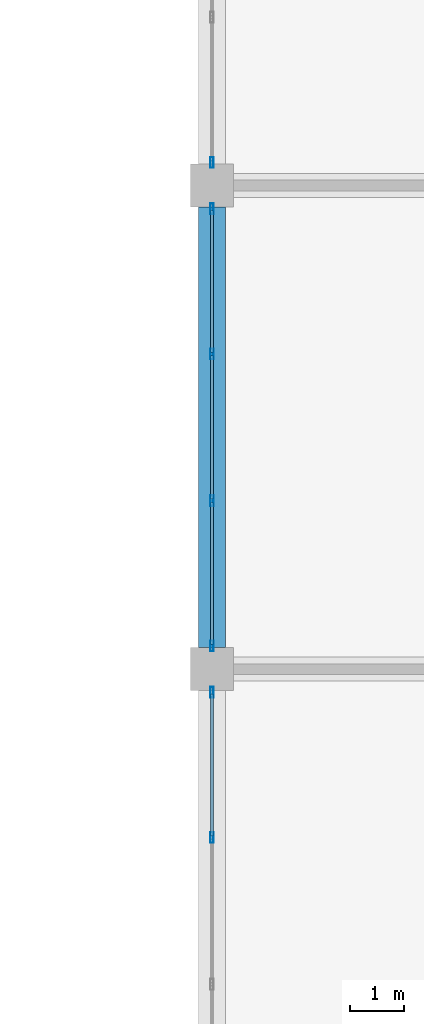
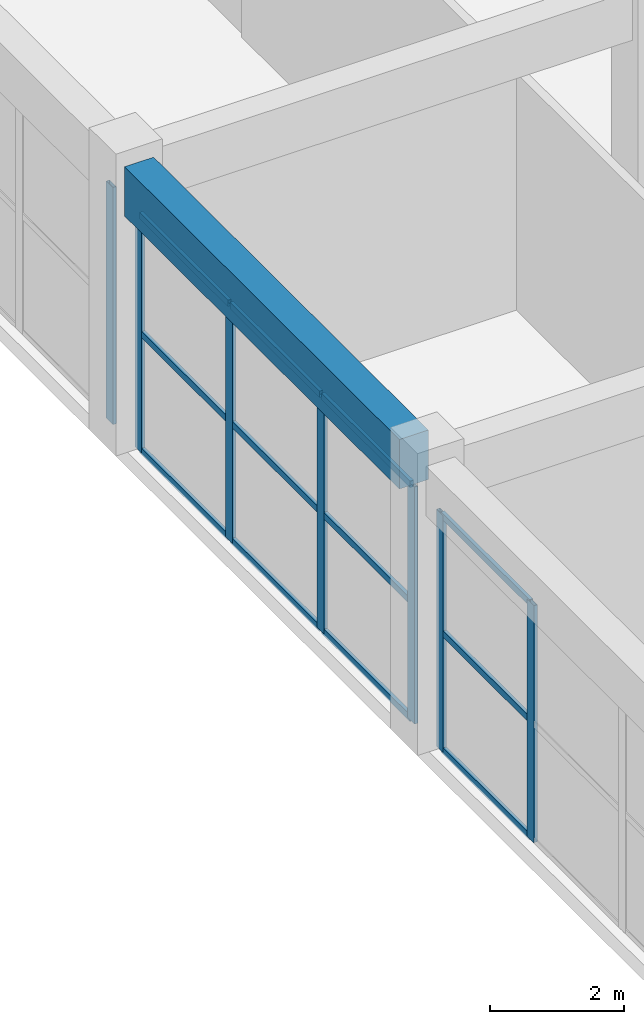
# One storey, part 72 of 185: 19 members, 1 beam, 3 elements without a shape of their own.
"""IFC4 building model written with IfcOpenShell, lengths in metres."""

import ifcopenshell
import ifcopenshell.guid

model = None  # the IFC model being written
_history = None  # IfcOwnerHistory: only IFC2X3 demands one
_inside = {}  # id of a spatial element -> (the spatial element, [elements in it])
_under = {}  # id of a project, library or spatial element -> (it, [spatial elements below it])
_declared = {}  # id of a project -> (the project, [libraries it declares])
_typed = {}  # id of a type object -> (the type object, [elements of that type])
_made_of = {}  # id of a material, layer set ... -> (it, [elements and type objects made of it])


def new_model(schema):
    """Start an empty IFC model of exactly this schema.

    Asked for "IFC4X3", IfcOpenShell would pick the latest addendum, in which some entities
    have other attributes; the version numbers below select the first issue.
    IFC2X3 requires an IfcOwnerHistory on every rooted entity: one is made here for all.
    """
    global model, _history
    if schema == "IFC4X3":
        model = ifcopenshell.file(schema_version=(4, 3, 0, 0))
    else:
        model = ifcopenshell.file(schema=schema)
    _inside.clear()
    _under.clear()
    _declared.clear()
    _typed.clear()
    _made_of.clear()
    _history = None
    if model.schema == "IFC2X3":
        org = make("IfcOrganization", Name="unknown")
        user = make(
            "IfcPersonAndOrganization",
            ThePerson=make("IfcPerson", FamilyName="unknown"),
            TheOrganization=org,
        )
        app = make(
            "IfcApplication",
            ApplicationDeveloper=org,
            Version="unknown",
            ApplicationFullName="unknown",
            ApplicationIdentifier="unknown",
        )
        _history = make(
            "IfcOwnerHistory",
            OwningUser=user,
            OwningApplication=app,
            ChangeAction="ADDED",
            CreationDate=0,
        )
    return model


def make(cls, **values):
    """One entity of the class cls with the attributes given. An attribute that is None is left unset."""
    return model.create_entity(
        cls, **{name: value for name, value in values.items() if value is not None}
    )


def rooted(cls, **values):
    """An entity with a GlobalId (a new one), such as an element, a storey or a relation."""
    return make(cls, GlobalId=ifcopenshell.guid.new(), OwnerHistory=_history, **values)


def si_unit(unit_type, name, prefix=None):
    """IfcSIUnit, for example si_unit("LENGTHUNIT", "METRE", prefix="MILLI")."""
    return make("IfcSIUnit", UnitType=unit_type, Prefix=prefix, Name=name)


def assignment(units):
    """IfcUnitAssignment: the units of a project."""
    return None if units is None else make("IfcUnitAssignment", Units=units)


def point(xyz):
    """IfcCartesianPoint."""
    return None if xyz is None else make("IfcCartesianPoint", Coordinates=xyz)


def direction(xyz):
    """IfcDirection."""
    return None if xyz is None else make("IfcDirection", DirectionRatios=xyz)


def frame(location, z_axis=None, x_axis=None):
    """IfcAxis2Placement3D, a coordinate frame: its origin and axes. An axis left out is left unset."""
    return make(
        "IfcAxis2Placement3D",
        Location=point(location),
        Axis=direction(z_axis),
        RefDirection=direction(x_axis),
    )


def frame_2d(location, x_axis=None):
    """IfcAxis2Placement2D, a coordinate frame in the plane: its origin and x axis."""
    return make(
        "IfcAxis2Placement2D", Location=point(location), RefDirection=direction(x_axis)
    )


def origin():
    """The frame at (0, 0, 0) with its axes left unset."""
    return frame((0.0, 0.0, 0.0))


def origin_2d():
    """The frame at (0, 0) in the plane with its x axis left unset."""
    return frame_2d((0.0, 0.0))


def place(relative_to, where):
    """IfcLocalPlacement: puts the frame where relative to a parent placement (None: the world)."""
    return make(
        "IfcLocalPlacement", PlacementRelTo=relative_to, RelativePlacement=where
    )


def context(
    kind, dimensions, precision=None, world=None, true_north=None, identifier=None
):
    """IfcGeometricRepresentationContext, for example the 3D "Model" context."""
    return make(
        "IfcGeometricRepresentationContext",
        ContextIdentifier=identifier,
        ContextType=kind,
        CoordinateSpaceDimension=dimensions,
        Precision=precision,
        WorldCoordinateSystem=world,
        TrueNorth=true_north,
    )


def subcontext(parent, identifier, kind, view, scale=None):
    """IfcGeometricRepresentationSubContext, for example "Body" below "Model"."""
    return make(
        "IfcGeometricRepresentationSubContext",
        ContextIdentifier=identifier,
        ContextType=kind,
        ParentContext=parent,
        TargetScale=scale,
        TargetView=view,
    )


def project(units=None, contexts=None):
    """IfcProject with its units and contexts."""
    return rooted(
        "IfcProject",
        Name="project",
        RepresentationContexts=contexts,
        UnitsInContext=assignment(units),
    )


def spatial(cls, under=None, at=None, **own):
    """A site, building, storey or space (cls), placed at a placement, below another one or the project."""
    s = rooted(cls, ObjectPlacement=at, **own)
    if under is not None:
        _under.setdefault(under.id(), (under, []))[1].append(s)
    return s


def profile(cls, at=None, kind="AREA", **sizes):
    """A parametric profile (cls). Its sizes go by their IFC names, for example OverallWidth=200.0."""
    return make(cls, ProfileType=kind, Position=at, **sizes)


def rectangle(**sizes):
    """IfcRectangleProfileDef."""
    return profile("IfcRectangleProfileDef", **sizes)


def hollow_rectangle(**sizes):
    """IfcRectangleHollowProfileDef."""
    return profile("IfcRectangleHollowProfileDef", **sizes)


def extrude(swept, where, along, depth):
    """IfcExtrudedAreaSolid: the profile swept, set in the frame where, extruded along a direction by depth."""
    return make(
        "IfcExtrudedAreaSolid",
        SweptArea=swept,
        Position=where,
        ExtrudedDirection=direction(along),
        Depth=depth,
    )


def shape(context_of_items, identifier, shape_type, items):
    """IfcShapeRepresentation: the items that make up one representation, for example the "Body"."""
    return make(
        "IfcShapeRepresentation",
        ContextOfItems=context_of_items,
        RepresentationIdentifier=identifier,
        RepresentationType=shape_type,
        Items=items,
    )


def material(Name=None, Category=None):
    """IfcMaterial."""
    return make("IfcMaterial", Name=Name, Category=Category)


def layer(
    of_material, thickness, ventilated=None, Name=None, Category=None, Priority=None
):
    """IfcMaterialLayer: one layer of a wall or slab, of a material (None: an air gap)."""
    return make(
        "IfcMaterialLayer",
        Material=of_material,
        LayerThickness=thickness,
        IsVentilated=ventilated,
        Name=Name,
        Category=Category,
        Priority=Priority,
    )


def layer_set(layers, Name=None):
    """IfcMaterialLayerSet."""
    return make("IfcMaterialLayerSet", MaterialLayers=layers, LayerSetName=Name)


def material_profile(
    of_material, cross_section, Name=None, Category=None, Priority=None
):
    """IfcMaterialProfile: a cross section and its material."""
    return make(
        "IfcMaterialProfile",
        Name=Name,
        Material=of_material,
        Profile=cross_section,
        Priority=Priority,
        Category=Category,
    )


def profile_set(profiles, Name=None, composite=None):
    """IfcMaterialProfileSet."""
    return make(
        "IfcMaterialProfileSet",
        Name=Name,
        MaterialProfiles=profiles,
        CompositeProfile=composite,
    )


def made_of(thing, what):
    """Note that an element or type object is made of a material, layer set ...; save() writes the relation."""
    if what is not None:
        _made_of.setdefault(what.id(), (what, []))[1].append(thing)
    return thing


def type_object(cls, material=None, **own):
    """A type object (cls), such as IfcWallType, which elements share."""
    return made_of(rooted(cls, **own), material)


def element(
    cls,
    number,
    at=None,
    inside=None,
    cuts=None,
    type_object=None,
    material=None,
    context=None,
    identifier="Body",
    shape_type=None,
    held_by="IfcProductDefinitionShape",
    body=None,
    shapes=None,
    **own,
):
    """One element of the class cls, such as IfcWall. Its Tag is "e" and its number.

    at: its placement. inside: the storey or other place that contains it. cuts: it is an
    opening in that element (IfcRelVoidsElement). A single representation is given by context,
    identifier, shape_type and body (its items); several are given by shapes. held_by: the class
    of the entity that holds the representations. save() writes the other relations.
    """
    e = rooted(cls, Tag="e%d" % number, ObjectPlacement=at, **own)
    if body is not None:
        shapes = [shape(context, identifier, shape_type, body)]
    if shapes is not None:
        e.Representation = make(held_by, Representations=shapes)
    if inside is not None:
        _inside.setdefault(inside.id(), (inside, []))[1].append(e)
    if cuts is not None:
        rooted(
            "IfcRelVoidsElement", RelatingBuildingElement=cuts, RelatedOpeningElement=e
        )
    if type_object is not None:
        _typed.setdefault(type_object.id(), (type_object, []))[1].append(e)
    return made_of(e, material)


def aggregate(whole, parts):
    """IfcRelAggregates: a whole, such as a stair, and the parts it consists of."""
    return rooted("IfcRelAggregates", RelatingObject=whole, RelatedObjects=parts)


def save(model, path):
    """Write the relations noted so far, then the file.

    IfcRelAggregates (storeys below a building ...), IfcRelContainedInSpatialStructure (elements
    in a storey), IfcRelDefinesByType, IfcRelAssociatesMaterial and IfcRelDeclares: one each for
    every whole, place, type object, material and project.
    """
    for whole, parts in _under.values():
        aggregate(whole, parts)
    for where, things in _inside.values():
        rooted(
            "IfcRelContainedInSpatialStructure",
            RelatedElements=things,
            RelatingStructure=where,
        )
    for kind, things in _typed.values():
        rooted("IfcRelDefinesByType", RelatedObjects=things, RelatingType=kind)
    for what, things in _made_of.values():
        rooted("IfcRelAssociatesMaterial", RelatedObjects=things, RelatingMaterial=what)
    for by, libraries in _declared.values():
        rooted("IfcRelDeclares", RelatingContext=by, RelatedDefinitions=libraries)
    model.write(path)


model = new_model("IFC4")

# Units and contexts
model_context = context("Model", 3, precision=1e-05, world=origin(), true_north=direction((0.0, 1.0)))
body_context = subcontext(model_context, "Body", "Model", "MODEL_VIEW")
ifc_project = project(units=[si_unit("LENGTHUNIT", "METRE"), si_unit("AREAUNIT", "SQUARE_METRE"), si_unit("VOLUMEUNIT", "CUBIC_METRE"), si_unit("PLANEANGLEUNIT", "RADIAN"), si_unit("MASSUNIT", "GRAM", prefix="KILO")], contexts=[model_context])

# Site, building, storey
site_placement = place(None, origin())
site = spatial("IfcSite", under=ifc_project, at=site_placement, CompositionType="ELEMENT")
building_placement = place(site_placement, origin())
building = spatial("IfcBuilding", under=site, at=building_placement, Name="Opaline Strait Convention Centre", CompositionType="ELEMENT")
storey_placement = place(building_placement, frame((0.0, 0.0, 6.0)))
storey = spatial("IfcBuildingStorey", under=building, at=storey_placement, Name="L01", CompositionType="ELEMENT", Elevation=6.0)

# Curtain wall, members
ifc_material_1 = material(Name="Aluminium framed double glazing", Category="aluminium")
ifc_layer = layer(ifc_material_1, 0.199951171875)
ifc_layer_set = layer_set([ifc_layer], Name="Aluminium framed double glazing")
curtain_wall_type = type_object("IfcCurtainWallType", Name="Curtain wall 3000 module unitised", PredefinedType="NOTDEFINED", material=ifc_layer_set)
curtain_wall_1_placement = place(storey_placement, origin())
curtain_wall_1 = element("IfcCurtainWall", 1, at=curtain_wall_1_placement, inside=storey, type_object=curtain_wall_type, Name="Curtain wall W L01 32/P", PredefinedType="NOTDEFINED")
ifc_material_2 = material(Name="Aluminium alloy 6063", Category="aluminium")
ifc_material_profile_1 = material_profile(ifc_material_2, hollow_rectangle(XDim=0.06005859375, YDim=0.199951171875, WallThickness=0.00390625, at=origin_2d()), Name="MULLION 60x200x4")
ifc_profile_set_1 = profile_set([ifc_material_profile_1], Name="Aluminium alloy 6063")
member_type_1 = type_object("IfcMemberType", Name="Curtain wall mullion 60 x 200", PredefinedType="MULLION", material=ifc_profile_set_1)
member_1_placement = place(storey_placement, frame((279.0, 122.86669921875, 0.0), z_axis=(0.0, 0.0, 1.0), x_axis=(-1.0, 0.0, 0.0)))
member_1 = element("IfcMember", 2, at=member_1_placement, type_object=member_type_1, Name="MCWR1 mullion 3", PredefinedType="MULLION", context=body_context, shape_type="SweptSolid", body=[
    extrude(hollow_rectangle(XDim=0.06005859375, YDim=0.199951171875, WallThickness=0.00390625, at=origin_2d()), origin(), (0.0, 0.0, 1.0), 4.320068359375),
])
member_2_placement = place(storey_placement, frame((279.0, 125.570068359375, 0.0), z_axis=(0.0, 0.0, 1.0), x_axis=(-1.0, 0.0, 0.0)))
member_2 = element("IfcMember", 3, at=member_2_placement, type_object=member_type_1, Name="MCWR1 mullion 4", PredefinedType="MULLION", context=body_context, shape_type="SweptSolid", body=[
    extrude(hollow_rectangle(XDim=0.06005859375, YDim=0.199951171875, WallThickness=0.00390625, at=origin_2d()), origin(), (0.0, 0.0, 1.0), 4.320068359375),
])

curtain_wall_2_placement = place(storey_placement, origin())
curtain_wall_2 = element("IfcCurtainWall", 4, at=curtain_wall_2_placement, inside=storey, type_object=curtain_wall_type, Name="Curtain wall W L01 32/Q", PredefinedType="NOTDEFINED")
member_3_placement = place(storey_placement, frame((279.0, 126.429931640625, 0.0), z_axis=(0.0, 0.0, 1.0), x_axis=(-1.0, 0.0, 0.0)))
member_3 = element("IfcMember", 5, at=member_3_placement, type_object=member_type_1, Name="MCWR1 mullion 1", PredefinedType="MULLION", context=body_context, shape_type="SweptSolid", body=[
    extrude(hollow_rectangle(XDim=0.06005859375, YDim=0.199951171875, WallThickness=0.00390625, at=origin_2d()), origin(), (0.0, 0.0, 1.0), 4.320068359375),
])
member_4_placement = place(storey_placement, frame((279.0, 129.13330078125, 0.0), z_axis=(0.0, 0.0, 1.0), x_axis=(-1.0, 0.0, 0.0)))
member_4 = element("IfcMember", 6, at=member_4_placement, type_object=member_type_1, Name="MCWR1 mullion 2", PredefinedType="MULLION", context=body_context, shape_type="SweptSolid", body=[
    extrude(hollow_rectangle(XDim=0.06005859375, YDim=0.199951171875, WallThickness=0.00390625, at=origin_2d()), origin(), (0.0, 0.0, 1.0), 4.320068359375),
])
member_5_placement = place(storey_placement, frame((279.0, 131.86669921875, 0.0), z_axis=(0.0, 0.0, 1.0), x_axis=(-1.0, 0.0, 0.0)))
member_5 = element("IfcMember", 7, at=member_5_placement, type_object=member_type_1, Name="MCWR1 mullion 3", PredefinedType="MULLION", context=body_context, shape_type="SweptSolid", body=[
    extrude(hollow_rectangle(XDim=0.06005859375, YDim=0.199951171875, WallThickness=0.00390625, at=origin_2d()), origin(), (0.0, 0.0, 1.0), 4.320068359375),
])
member_6_placement = place(storey_placement, frame((279.0, 134.570068359375, 0.0), z_axis=(0.0, 0.0, 1.0), x_axis=(-1.0, 0.0, 0.0)))
member_6 = element("IfcMember", 8, at=member_6_placement, type_object=member_type_1, Name="MCWR1 mullion 4", PredefinedType="MULLION", context=body_context, shape_type="SweptSolid", body=[
    extrude(hollow_rectangle(XDim=0.06005859375, YDim=0.199951171875, WallThickness=0.00390625, at=origin_2d()), origin(), (0.0, 0.0, 1.0), 4.320068359375),
])

# Curtain wall, member
curtain_wall_3_placement = place(storey_placement, origin())
curtain_wall_3 = element("IfcCurtainWall", 9, at=curtain_wall_3_placement, inside=storey, type_object=curtain_wall_type, Name="Curtain wall W L01 32/R", PredefinedType="NOTDEFINED")
member_7_placement = place(storey_placement, frame((279.0, 135.429931640625, 0.0), z_axis=(0.0, 0.0, 1.0), x_axis=(-1.0, 0.0, 0.0)))
member_7 = element("IfcMember", 10, at=member_7_placement, type_object=member_type_1, Name="MCWR1 mullion 1", PredefinedType="MULLION", context=body_context, shape_type="SweptSolid", body=[
    extrude(hollow_rectangle(XDim=0.06005859375, YDim=0.199951171875, WallThickness=0.00390625, at=origin_2d()), origin(), (0.0, 0.0, 1.0), 4.320068359375),
])
aggregate(curtain_wall_3, [member_7])

# Member
ifc_material_profile_2 = material_profile(ifc_material_2, hollow_rectangle(XDim=0.06005859375, YDim=0.1201171875, WallThickness=0.0029296875, at=origin_2d()), Name="TRANSOM 60x120x3")
ifc_profile_set_2 = profile_set([ifc_material_profile_2], Name="Aluminium alloy 6063")
member_type_2 = type_object("IfcMemberType", Name="Curtain wall transom 60 x 120", PredefinedType="USERDEFINED", material=ifc_profile_set_2)
member_8_placement = place(storey_placement, frame((279.0, 122.896728515625, 0.030029296875), z_axis=(0.0, 1.0, 0.0), x_axis=(-1.0, 0.0, 0.0)))
member_8 = element("IfcMember", 11, at=member_8_placement, type_object=member_type_2, Name="MCWR1 transom 3.1", ObjectType="TRANSOM", PredefinedType="USERDEFINED", context=body_context, shape_type="SweptSolid", body=[
    extrude(hollow_rectangle(XDim=0.06005859375, YDim=0.1201171875, WallThickness=0.0029296875, at=origin_2d()), origin(), (0.0, 0.0, 1.0), 2.643310546875),
])

member_9_placement = place(storey_placement, frame((279.0, 122.896728515625, 2.159912109375), z_axis=(0.0, 1.0, 0.0), x_axis=(-1.0, 0.0, 0.0)))
member_9 = element("IfcMember", 12, at=member_9_placement, type_object=member_type_2, Name="MCWR1 transom 3.2", ObjectType="TRANSOM", PredefinedType="USERDEFINED", context=body_context, shape_type="SweptSolid", body=[
    extrude(hollow_rectangle(XDim=0.06005859375, YDim=0.1201171875, WallThickness=0.0029296875, at=origin_2d()), origin(), (0.0, 0.0, 1.0), 2.643310546875),
])

member_10_placement = place(storey_placement, frame((279.0, 122.896728515625, 4.2900390625), z_axis=(0.0, 1.0, 0.0), x_axis=(-1.0, 0.0, 0.0)))
member_10 = element("IfcMember", 13, at=member_10_placement, type_object=member_type_2, Name="MCWR1 transom 3.3", ObjectType="TRANSOM", PredefinedType="USERDEFINED", context=body_context, shape_type="SweptSolid", body=[
    extrude(hollow_rectangle(XDim=0.06005859375, YDim=0.1201171875, WallThickness=0.0029296875, at=origin_2d()), origin(), (0.0, 0.0, 1.0), 2.643310546875),
])

aggregate(curtain_wall_1, [member_1, member_2, member_8, member_9, member_10])

member_11_placement = place(storey_placement, frame((279.0, 126.4599609375, 0.030029296875), z_axis=(0.0, 1.0, 0.0), x_axis=(-1.0, 0.0, 0.0)))
member_11 = element("IfcMember", 14, at=member_11_placement, type_object=member_type_2, Name="MCWR1 transom 1.1", ObjectType="TRANSOM", PredefinedType="USERDEFINED", context=body_context, shape_type="SweptSolid", body=[
    extrude(hollow_rectangle(XDim=0.06005859375, YDim=0.1201171875, WallThickness=0.0029296875, at=origin_2d()), origin(), (0.0, 0.0, 1.0), 2.643310546875),
])

member_12_placement = place(storey_placement, frame((279.0, 126.4599609375, 2.159912109375), z_axis=(0.0, 1.0, 0.0), x_axis=(-1.0, 0.0, 0.0)))
member_12 = element("IfcMember", 15, at=member_12_placement, type_object=member_type_2, Name="MCWR1 transom 1.2", ObjectType="TRANSOM", PredefinedType="USERDEFINED", context=body_context, shape_type="SweptSolid", body=[
    extrude(hollow_rectangle(XDim=0.06005859375, YDim=0.1201171875, WallThickness=0.0029296875, at=origin_2d()), origin(), (0.0, 0.0, 1.0), 2.643310546875),
])

member_13_placement = place(storey_placement, frame((279.0, 126.4599609375, 4.2900390625), z_axis=(0.0, 1.0, 0.0), x_axis=(-1.0, 0.0, 0.0)))
member_13 = element("IfcMember", 16, at=member_13_placement, type_object=member_type_2, Name="MCWR1 transom 1.3", ObjectType="TRANSOM", PredefinedType="USERDEFINED", context=body_context, shape_type="SweptSolid", body=[
    extrude(hollow_rectangle(XDim=0.06005859375, YDim=0.1201171875, WallThickness=0.0029296875, at=origin_2d()), origin(), (0.0, 0.0, 1.0), 2.643310546875),
])

member_14_placement = place(storey_placement, frame((279.0, 129.163330078125, 0.030029296875), z_axis=(0.0, 1.0, 0.0), x_axis=(-1.0, 0.0, 0.0)))
member_14 = element("IfcMember", 17, at=member_14_placement, type_object=member_type_2, Name="MCWR1 transom 2.1", ObjectType="TRANSOM", PredefinedType="USERDEFINED", context=body_context, shape_type="SweptSolid", body=[
    extrude(hollow_rectangle(XDim=0.06005859375, YDim=0.1201171875, WallThickness=0.0029296875, at=origin_2d()), origin(), (0.0, 0.0, 1.0), 2.67333984375),
])

member_15_placement = place(storey_placement, frame((279.0, 129.163330078125, 2.159912109375), z_axis=(0.0, 1.0, 0.0), x_axis=(-1.0, 0.0, 0.0)))
member_15 = element("IfcMember", 18, at=member_15_placement, type_object=member_type_2, Name="MCWR1 transom 2.2", ObjectType="TRANSOM", PredefinedType="USERDEFINED", context=body_context, shape_type="SweptSolid", body=[
    extrude(hollow_rectangle(XDim=0.06005859375, YDim=0.1201171875, WallThickness=0.0029296875, at=origin_2d()), origin(), (0.0, 0.0, 1.0), 2.67333984375),
])

member_16_placement = place(storey_placement, frame((279.0, 129.163330078125, 4.2900390625), z_axis=(0.0, 1.0, 0.0), x_axis=(-1.0, 0.0, 0.0)))
member_16 = element("IfcMember", 19, at=member_16_placement, type_object=member_type_2, Name="MCWR1 transom 2.3", ObjectType="TRANSOM", PredefinedType="USERDEFINED", context=body_context, shape_type="SweptSolid", body=[
    extrude(hollow_rectangle(XDim=0.06005859375, YDim=0.1201171875, WallThickness=0.0029296875, at=origin_2d()), origin(), (0.0, 0.0, 1.0), 2.67333984375),
])

member_17_placement = place(storey_placement, frame((279.0, 131.896728515625, 0.030029296875), z_axis=(0.0, 1.0, 0.0), x_axis=(-1.0, 0.0, 0.0)))
member_17 = element("IfcMember", 20, at=member_17_placement, type_object=member_type_2, Name="MCWR1 transom 3.1", ObjectType="TRANSOM", PredefinedType="USERDEFINED", context=body_context, shape_type="SweptSolid", body=[
    extrude(hollow_rectangle(XDim=0.06005859375, YDim=0.1201171875, WallThickness=0.0029296875, at=origin_2d()), origin(), (0.0, 0.0, 1.0), 2.643310546875),
])

member_18_placement = place(storey_placement, frame((279.0, 131.896728515625, 2.159912109375), z_axis=(0.0, 1.0, 0.0), x_axis=(-1.0, 0.0, 0.0)))
member_18 = element("IfcMember", 21, at=member_18_placement, type_object=member_type_2, Name="MCWR1 transom 3.2", ObjectType="TRANSOM", PredefinedType="USERDEFINED", context=body_context, shape_type="SweptSolid", body=[
    extrude(hollow_rectangle(XDim=0.06005859375, YDim=0.1201171875, WallThickness=0.0029296875, at=origin_2d()), origin(), (0.0, 0.0, 1.0), 2.643310546875),
])

member_19_placement = place(storey_placement, frame((279.0, 131.896728515625, 4.2900390625), z_axis=(0.0, 1.0, 0.0), x_axis=(-1.0, 0.0, 0.0)))
member_19 = element("IfcMember", 22, at=member_19_placement, type_object=member_type_2, Name="MCWR1 transom 3.3", ObjectType="TRANSOM", PredefinedType="USERDEFINED", context=body_context, shape_type="SweptSolid", body=[
    extrude(hollow_rectangle(XDim=0.06005859375, YDim=0.1201171875, WallThickness=0.0029296875, at=origin_2d()), origin(), (0.0, 0.0, 1.0), 2.643310546875),
])

aggregate(curtain_wall_2, [member_3, member_4, member_5, member_6, member_11, member_12, member_13, member_14, member_15, member_16, member_17, member_18, member_19])

# Beam
ifc_material_3 = material(Name="Concrete C35", Category="concrete")
ifc_material_profile_3 = material_profile(ifc_material_3, rectangle(XDim=0.5, YDim=0.89990234375, at=origin_2d()), Name="RC 500x900")
ifc_profile_set_3 = profile_set([ifc_material_profile_3], Name="Concrete C35")
beam_type = type_object("IfcBeamType", Name="RC edge beam 500x900 C35", PredefinedType="BEAM", material=ifc_profile_set_3)
beam_placement = place(storey_placement, frame((279.0, 126.39990234375, 4.77001953125), z_axis=(0.0, 1.0, 0.0), x_axis=(-1.0, 0.0, 0.0)))
element("IfcBeam", 23, at=beam_placement, inside=storey, type_object=beam_type, Name="MRB2 L01 32/Q-32/R", PredefinedType="BEAM", context=body_context, shape_type="SweptSolid", body=[
    extrude(rectangle(XDim=0.5, YDim=0.89990234375, at=origin_2d()), origin(), (0.0, 0.0, 1.0), 8.2001953125),
])

save(model, "model.ifc")
